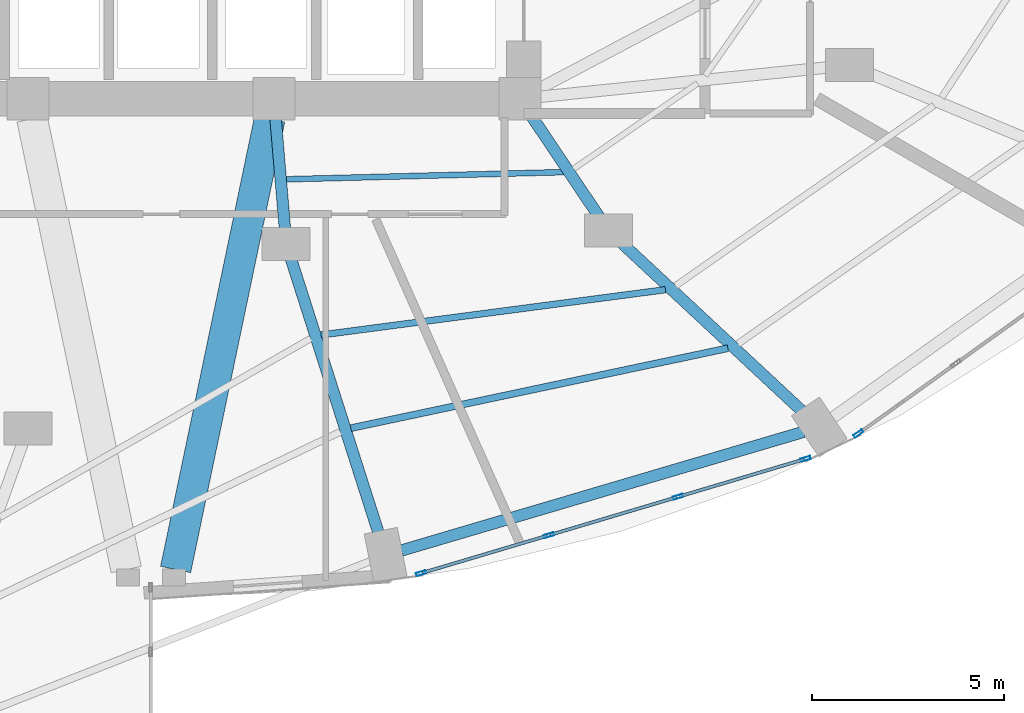
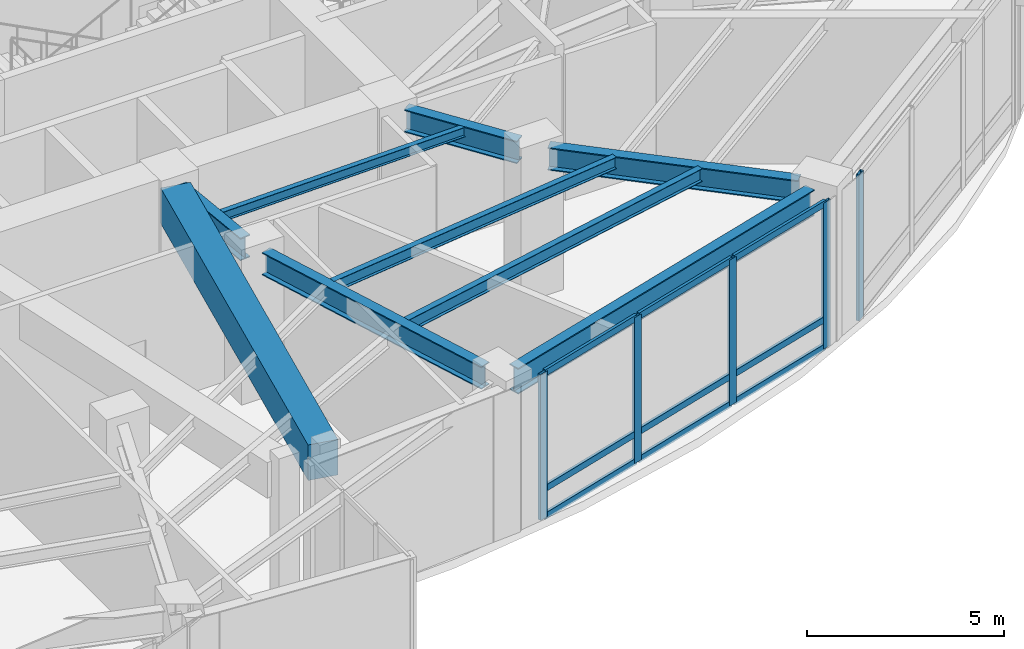
# One storey, part 10 of 24: 14 members, 9 beams, 2 elements without a shape of their own.
"""IFC4 building model written with IfcOpenShell, lengths in metres."""

from ifc_helpers import new_model, si_unit, direction, frame, origin, origin_2d, place, context, subcontext, project, spatial, rectangle, hollow_rectangle, i_section, extrude, material, layer, layer_set, material_profile, profile_set, type_object, element, aggregate, save


model = new_model("IFC4")

# Units and contexts
model_context = context("Model", 3, precision=1e-05, world=origin(), true_north=direction((0.0, 1.0)))
body_context = subcontext(model_context, "Body", "Model", "MODEL_VIEW")
ifc_project = project(units=[si_unit("LENGTHUNIT", "METRE"), si_unit("AREAUNIT", "SQUARE_METRE"), si_unit("VOLUMEUNIT", "CUBIC_METRE"), si_unit("PLANEANGLEUNIT", "RADIAN"), si_unit("MASSUNIT", "GRAM", prefix="KILO")], contexts=[model_context])

# Site, building, storey
site_placement = place(None, origin())
site = spatial("IfcSite", under=ifc_project, at=site_placement, CompositionType="ELEMENT")
building_placement = place(site_placement, origin())
building = spatial("IfcBuilding", under=site, at=building_placement, Name="Lazwardi Medical Tower", CompositionType="ELEMENT")
storey_placement = place(building_placement, frame((0.0, 0.0, 10.800048828125)))
storey = spatial("IfcBuildingStorey", under=building, at=storey_placement, Name="L02", CompositionType="ELEMENT", Elevation=10.800048828125)

# Beams
ifc_material_1 = material(Name="Concrete C70/85", Category="concrete")
ifc_material_profile_1 = material_profile(ifc_material_1, rectangle(XDim=0.800048828125, YDim=1.10009765625, at=origin_2d()), Name="RC 800x1100")
ifc_profile_set_1 = profile_set([ifc_material_profile_1], Name="Concrete C70/85")
beam_type_1 = type_object("IfcBeamType", Name="BM-CB-RC1", PredefinedType="LINTEL", material=ifc_profile_set_1)
beam_1_placement = place(storey_placement, frame((39.090576171875, 19.876220703125, 3.969970703125), z_axis=(-0.204429747009, -0.978881238219, 0.0), x_axis=(0.978881238219, -0.204429747009, 0.0)))
element("IfcBeam", 1, at=beam_1_placement, inside=storey, type_object=beam_type_1, Name="Core coupling lintel CB-01 PL4 L02", PredefinedType="LINTEL", context=body_context, shape_type="SweptSolid", body=[
    extrude(rectangle(XDim=0.800048828125, YDim=1.10009765625, at=origin_2d()), origin(), (0.0, 0.0, 1.0), 11.9736328125),
])
ifc_material_2 = material(Name="Steel S355", Category="steel")
ifc_material_profile_2 = material_profile(ifc_material_2, i_section(OverallWidth=0.300048828125, OverallDepth=0.800048828125, WebThickness=0.017578125, FlangeThickness=0.032958984375, at=origin_2d()), Name="HEB 800")
ifc_profile_set_2 = profile_set([ifc_material_profile_2], Name="Steel S355")
beam_type_2 = type_object("IfcBeamType", Name="BM-RB-P1", PredefinedType="BEAM", material=ifc_profile_set_2)
beam_2_placement = place(storey_placement, frame((42.518798828125, 8.650146484375, 4.119873046875), z_axis=(0.959103395471, 0.283055960537, 0.0), x_axis=(-0.283055960537, 0.959103395471, 0.0)))
element("IfcBeam", 2, at=beam_2_placement, inside=storey, type_object=beam_type_2, Name="Ring beam RB-01 B01 L02", PredefinedType="BEAM", context=body_context, shape_type="SweptSolid", body=[
    extrude(i_section(OverallWidth=0.300048828125, OverallDepth=0.800048828125, WebThickness=0.017578125, FlangeThickness=0.032958984375, at=origin_2d()), origin(), (0.0, 0.0, 1.0), 10.904052734375),
])
ifc_material_profile_3 = material_profile(ifc_material_2, i_section(OverallWidth=0.300048828125, OverallDepth=0.699951171875, WebThickness=0.01708984375, FlangeThickness=0.031982421875, at=origin_2d()), Name="HEB 700")
ifc_profile_set_3 = profile_set([ifc_material_profile_3], Name="Steel S355")
beam_type_3 = type_object("IfcBeamType", Name="BM-RG-P1", PredefinedType="BEAM", material=ifc_profile_set_3)
beam_3_placement = place(storey_placement, frame((41.9296875, 9.0810546875, 4.169921875), z_axis=(-0.304290316493, 0.952579342254, 0.0), x_axis=(-0.952579342254, -0.304290316493, 0.0)))
element("IfcBeam", 3, at=beam_3_placement, inside=storey, type_object=beam_type_3, Name="Radial girder RG-01 R01A L02", PredefinedType="BEAM", context=body_context, shape_type="SweptSolid", body=[
    extrude(i_section(OverallWidth=0.300048828125, OverallDepth=0.699951171875, WebThickness=0.01708984375, FlangeThickness=0.031982421875, at=origin_2d()), origin(), (0.0, 0.0, 1.0), 7.51953125),
])
beam_4_placement = place(storey_placement, frame((39.486083984375, 17.023681640625, 4.169921875), z_axis=(-0.084447396155, 0.996427938831, 0.0), x_axis=(-0.996427938831, -0.084447396155, 0.0)))
element("IfcBeam", 4, at=beam_4_placement, inside=storey, type_object=beam_type_3, Name="Radial girder RG-01 R01B L02", PredefinedType="BEAM", context=body_context, shape_type="SweptSolid", body=[
    extrude(i_section(OverallWidth=0.300048828125, OverallDepth=0.699951171875, WebThickness=0.01708984375, FlangeThickness=0.031982421875, at=origin_2d()), origin(), (0.0, 0.0, 1.0), 2.853515625),
])
beam_5_placement = place(storey_placement, frame((52.965087890625, 12.253662109375, 4.169921875), z_axis=(-0.731658891276, 0.681670937342, 0.0), x_axis=(-0.681670937342, -0.731658891276, 0.0)))
element("IfcBeam", 5, at=beam_5_placement, inside=storey, type_object=beam_type_3, Name="Radial girder RG-01 R02A L02", PredefinedType="BEAM", context=body_context, shape_type="SweptSolid", body=[
    extrude(i_section(OverallWidth=0.300048828125, OverallDepth=0.699951171875, WebThickness=0.01708984375, FlangeThickness=0.031982421875, at=origin_2d()), origin(), (0.0, 0.0, 1.0), 6.52001953125),
])
beam_6_placement = place(storey_placement, frame((47.678955078125, 17.302978515625, 4.169921875), z_axis=(-0.557342392299, 0.830282757708, 0.0), x_axis=(-0.830282757708, -0.557342392299, 0.0)))
element("IfcBeam", 6, at=beam_6_placement, inside=storey, type_object=beam_type_3, Name="Radial girder RG-01 R02B L02", PredefinedType="BEAM", context=body_context, shape_type="SweptSolid", body=[
    extrude(i_section(OverallWidth=0.300048828125, OverallDepth=0.699951171875, WebThickness=0.01708984375, FlangeThickness=0.031982421875, at=origin_2d()), origin(), (0.0, 0.0, 1.0), 3.195068359375),
])
ifc_material_profile_4 = material_profile(ifc_material_2, i_section(OverallWidth=0.179931640625, OverallDepth=0.39990234375, WebThickness=0.008544921875, FlangeThickness=0.013427734375, at=origin_2d()), Name="IPE 400")
ifc_profile_set_4 = profile_set([ifc_material_profile_4], Name="Steel S355")
beam_type_4 = type_object("IfcBeamType", Name="BM-SJ-01", PredefinedType="JOIST", material=ifc_profile_set_4)
beam_7_placement = place(storey_placement, frame((41.2021484375, 11.8330078125, 4.320068359375), z_axis=(0.9782537418, 0.207411708093, 0.0), x_axis=(-0.207411708093, 0.9782537418, 0.0)))
element("IfcBeam", 7, at=beam_7_placement, inside=storey, type_object=beam_type_4, Name="Secondary joist SJ-01 RO1 B01 L02", PredefinedType="JOIST", context=body_context, shape_type="SweptSolid", body=[
    extrude(i_section(OverallWidth=0.179931640625, OverallDepth=0.39990234375, WebThickness=0.008544921875, FlangeThickness=0.013427734375, at=origin_2d()), origin(), (0.0, 0.0, 1.0), 10.0263671875),
])
ifc_material_profile_5 = material_profile(ifc_material_2, i_section(OverallWidth=0.169921875, OverallDepth=0.360107421875, WebThickness=0.008056640625, FlangeThickness=0.0126953125, at=origin_2d()), Name="IPE 360")
ifc_profile_set_5 = profile_set([ifc_material_profile_5], Name="Steel S355")
beam_type_5 = type_object("IfcBeamType", Name="BM-SJ-02", PredefinedType="JOIST", material=ifc_profile_set_5)
beam_8_placement = place(storey_placement, frame((40.426025390625, 14.25732421875, 4.33984375), z_axis=(0.991476440032, 0.130286103868, 0.0), x_axis=(-0.130286103868, 0.991476440032, 0.0)))
element("IfcBeam", 8, at=beam_8_placement, inside=storey, type_object=beam_type_5, Name="Secondary joist SJ-02 RO2 B01 L02", PredefinedType="JOIST", context=body_context, shape_type="SweptSolid", body=[
    extrude(i_section(OverallWidth=0.169921875, OverallDepth=0.360107421875, WebThickness=0.008056640625, FlangeThickness=0.0126953125, at=origin_2d()), origin(), (0.0, 0.0, 1.0), 9.037841796875),
])
ifc_material_profile_6 = material_profile(ifc_material_2, i_section(OverallWidth=0.14990234375, OverallDepth=0.300048828125, WebThickness=0.007080078125, FlangeThickness=0.0107421875, at=origin_2d()), Name="IPE 300")
ifc_profile_set_6 = profile_set([ifc_material_profile_6], Name="Steel S355")
beam_type_6 = type_object("IfcBeamType", Name="BM-SJ-03", PredefinedType="JOIST", material=ifc_profile_set_6)
beam_9_placement = place(storey_placement, frame((39.522705078125, 18.306884765625, 4.369873046875), z_axis=(0.999666407712, 0.025827762058, 0.0), x_axis=(-0.025827762058, 0.999666407712, 0.0)))
element("IfcBeam", 9, at=beam_9_placement, inside=storey, type_object=beam_type_6, Name="Secondary joist SJ-03 RI1 B01 L02", PredefinedType="JOIST", context=body_context, shape_type="SweptSolid", body=[
    extrude(i_section(OverallWidth=0.14990234375, OverallDepth=0.300048828125, WebThickness=0.007080078125, FlangeThickness=0.0107421875, at=origin_2d()), origin(), (0.0, 0.0, 1.0), 7.21240234375),
])

# Curtain wall, members
ifc_material_3 = material(Name="Anodised bronze aluminium and solar control glazing", Category="aluminium")
ifc_layer = layer(ifc_material_3, 0.219970703125)
ifc_layer_set = layer_set([ifc_layer], Name="Anodised bronze aluminium and solar control glazing")
curtain_wall_type = type_object("IfcCurtainWallType", Name="CW-SYS-01", PredefinedType="NOTDEFINED", material=ifc_layer_set)
curtain_wall_1_placement = place(storey_placement, origin())
curtain_wall_1 = element("IfcCurtainWall", 10, at=curtain_wall_1_placement, inside=storey, type_object=curtain_wall_type, Name="L02 Unitised bronze curtain wall CW-01", PredefinedType="NOTDEFINED")
ifc_material_4 = material(Name="Anodised bronze aluminium", Category="aluminium")
ifc_material_profile_7 = material_profile(ifc_material_4, hollow_rectangle(XDim=0.0849609375, YDim=0.260009765625, WallThickness=0.0048828125, at=origin_2d()), Name="ALU-MULLION 260x85x5")
ifc_profile_set_7 = profile_set([ifc_material_profile_7], Name="Anodised bronze aluminium")
member_type_1 = type_object("IfcMemberType", Name="CW-MUL-02", PredefinedType="MULLION", material=ifc_profile_set_7)
member_1_placement = place(storey_placement, frame((43.02880859375, 8.05810546875, 0.0), z_axis=(0.0, 0.0, 1.0), x_axis=(-0.285047195531, 0.958513482597, 0.0)))
member_1 = element("IfcMember", 11, at=member_1_placement, type_object=member_type_1, Name="CW-01 mullion 1", PredefinedType="MULLION", context=body_context, shape_type="SweptSolid", body=[
    extrude(hollow_rectangle(XDim=0.0849609375, YDim=0.260009765625, WallThickness=0.0048828125, at=origin_2d()), origin(), (0.0, 0.0, 1.0), 4.52001953125),
])
member_2_placement = place(storey_placement, frame((46.350341796875, 9.0458984375, 0.0), z_axis=(0.0, 0.0, 1.0), x_axis=(-0.285047195531, 0.958513482597, 0.0)))
member_2 = element("IfcMember", 12, at=member_2_placement, type_object=member_type_1, Name="CW-01 mullion 2", PredefinedType="MULLION", context=body_context, shape_type="SweptSolid", body=[
    extrude(hollow_rectangle(XDim=0.0849609375, YDim=0.260009765625, WallThickness=0.0048828125, at=origin_2d()), origin(), (0.0, 0.0, 1.0), 4.52001953125),
])
member_3_placement = place(storey_placement, frame((49.71240234375, 10.0458984375, 0.0), z_axis=(0.0, 0.0, 1.0), x_axis=(-0.285047195531, 0.958513482597, 0.0)))
member_3 = element("IfcMember", 13, at=member_3_placement, type_object=member_type_1, Name="CW-01 mullion 3", PredefinedType="MULLION", context=body_context, shape_type="SweptSolid", body=[
    extrude(hollow_rectangle(XDim=0.0849609375, YDim=0.260009765625, WallThickness=0.0048828125, at=origin_2d()), origin(), (0.0, 0.0, 1.0), 4.52001953125),
])
member_4_placement = place(storey_placement, frame((53.033935546875, 11.03369140625, 0.0), z_axis=(0.0, 0.0, 1.0), x_axis=(-0.285047195531, 0.958513482597, 0.0)))
member_4 = element("IfcMember", 14, at=member_4_placement, type_object=member_type_1, Name="CW-01 mullion 4", PredefinedType="MULLION", context=body_context, shape_type="SweptSolid", body=[
    extrude(hollow_rectangle(XDim=0.0849609375, YDim=0.260009765625, WallThickness=0.0048828125, at=origin_2d()), origin(), (0.0, 0.0, 1.0), 4.52001953125),
])

# Curtain wall, member
curtain_wall_2_placement = place(storey_placement, origin())
curtain_wall_2 = element("IfcCurtainWall", 15, at=curtain_wall_2_placement, inside=storey, type_object=curtain_wall_type, Name="L02 Unitised bronze curtain wall CW-01", PredefinedType="NOTDEFINED")
member_5_placement = place(storey_placement, frame((54.40576171875, 11.6923828125, 0.0), z_axis=(0.0, 0.0, 1.0), x_axis=(-0.583214260584, 0.812318365083, 0.0)))
member_5 = element("IfcMember", 16, at=member_5_placement, type_object=member_type_1, Name="CW-01 mullion 1", PredefinedType="MULLION", context=body_context, shape_type="SweptSolid", body=[
    extrude(hollow_rectangle(XDim=0.0849609375, YDim=0.260009765625, WallThickness=0.0048828125, at=origin_2d()), origin(), (0.0, 0.0, 1.0), 4.52001953125),
])
aggregate(curtain_wall_2, [member_5])

# Member
ifc_material_profile_8 = material_profile(ifc_material_4, hollow_rectangle(XDim=0.0849609375, YDim=0.199951171875, WallThickness=0.00439453125, at=origin_2d()), Name="ALU-TRANSOM 200x85x4.5")
ifc_profile_set_8 = profile_set([ifc_material_profile_8], Name="Anodised bronze aluminium")
member_type_2 = type_object("IfcMemberType", Name="CW-TRN-02", PredefinedType="USERDEFINED", material=ifc_profile_set_8)
member_6_placement = place(storey_placement, frame((43.069580078125, 8.0703125, 0.04248046875), z_axis=(0.958505424522, 0.285074290603, 0.0), x_axis=(-0.285074290603, 0.958505424522, 0.0)))
member_6 = element("IfcMember", 17, at=member_6_placement, type_object=member_type_2, Name="CW-01 transom 1.1", ObjectType="TRANSOM", PredefinedType="USERDEFINED", context=body_context, shape_type="SweptSolid", body=[
    extrude(hollow_rectangle(XDim=0.0849609375, YDim=0.199951171875, WallThickness=0.00439453125, at=origin_2d()), origin(), (0.0, 0.0, 1.0), 3.38037109375),
])

member_7_placement = place(storey_placement, frame((43.069580078125, 8.0703125, 0.89990234375), z_axis=(0.958505424522, 0.285074290603, 0.0), x_axis=(-0.285074290603, 0.958505424522, 0.0)))
member_7 = element("IfcMember", 18, at=member_7_placement, type_object=member_type_2, Name="CW-01 transom 1.2", ObjectType="TRANSOM", PredefinedType="USERDEFINED", context=body_context, shape_type="SweptSolid", body=[
    extrude(hollow_rectangle(XDim=0.0849609375, YDim=0.199951171875, WallThickness=0.00439453125, at=origin_2d()), origin(), (0.0, 0.0, 1.0), 3.38037109375),
])

member_8_placement = place(storey_placement, frame((43.069580078125, 8.0703125, 4.4775390625), z_axis=(0.958505424522, 0.285074290603, 0.0), x_axis=(-0.285074290603, 0.958505424522, 0.0)))
member_8 = element("IfcMember", 19, at=member_8_placement, type_object=member_type_2, Name="CW-01 transom 1.3", ObjectType="TRANSOM", PredefinedType="USERDEFINED", context=body_context, shape_type="SweptSolid", body=[
    extrude(hollow_rectangle(XDim=0.0849609375, YDim=0.199951171875, WallThickness=0.00439453125, at=origin_2d()), origin(), (0.0, 0.0, 1.0), 3.38037109375),
])

member_9_placement = place(storey_placement, frame((46.39111328125, 9.05810546875, 0.04248046875), z_axis=(0.958518450342, 0.285030490219, 0.0), x_axis=(-0.285030490219, 0.958518450342, 0.0)))
member_9 = element("IfcMember", 20, at=member_9_placement, type_object=member_type_2, Name="CW-01 transom 2.1", ObjectType="TRANSOM", PredefinedType="USERDEFINED", context=body_context, shape_type="SweptSolid", body=[
    extrude(hollow_rectangle(XDim=0.0849609375, YDim=0.199951171875, WallThickness=0.00439453125, at=origin_2d()), origin(), (0.0, 0.0, 1.0), 3.4228515625),
])

member_10_placement = place(storey_placement, frame((46.39111328125, 9.05810546875, 0.89990234375), z_axis=(0.958518450342, 0.285030490219, 0.0), x_axis=(-0.285030490219, 0.958518450342, 0.0)))
member_10 = element("IfcMember", 21, at=member_10_placement, type_object=member_type_2, Name="CW-01 transom 2.2", ObjectType="TRANSOM", PredefinedType="USERDEFINED", context=body_context, shape_type="SweptSolid", body=[
    extrude(hollow_rectangle(XDim=0.0849609375, YDim=0.199951171875, WallThickness=0.00439453125, at=origin_2d()), origin(), (0.0, 0.0, 1.0), 3.4228515625),
])

member_11_placement = place(storey_placement, frame((46.39111328125, 9.05810546875, 4.4775390625), z_axis=(0.958518450342, 0.285030490219, 0.0), x_axis=(-0.285030490219, 0.958518450342, 0.0)))
member_11 = element("IfcMember", 22, at=member_11_placement, type_object=member_type_2, Name="CW-01 transom 2.3", ObjectType="TRANSOM", PredefinedType="USERDEFINED", context=body_context, shape_type="SweptSolid", body=[
    extrude(hollow_rectangle(XDim=0.0849609375, YDim=0.199951171875, WallThickness=0.00439453125, at=origin_2d()), origin(), (0.0, 0.0, 1.0), 3.4228515625),
])

member_12_placement = place(storey_placement, frame((49.753173828125, 10.057861328125, 0.04248046875), z_axis=(0.958505424522, 0.285074290603, 0.0), x_axis=(-0.285074290603, 0.958505424522, 0.0)))
member_12 = element("IfcMember", 23, at=member_12_placement, type_object=member_type_2, Name="CW-01 transom 3.1", ObjectType="TRANSOM", PredefinedType="USERDEFINED", context=body_context, shape_type="SweptSolid", body=[
    extrude(hollow_rectangle(XDim=0.0849609375, YDim=0.199951171875, WallThickness=0.00439453125, at=origin_2d()), origin(), (0.0, 0.0, 1.0), 3.38037109375),
])

member_13_placement = place(storey_placement, frame((49.753173828125, 10.057861328125, 0.89990234375), z_axis=(0.958505424522, 0.285074290603, 0.0), x_axis=(-0.285074290603, 0.958505424522, 0.0)))
member_13 = element("IfcMember", 24, at=member_13_placement, type_object=member_type_2, Name="CW-01 transom 3.2", ObjectType="TRANSOM", PredefinedType="USERDEFINED", context=body_context, shape_type="SweptSolid", body=[
    extrude(hollow_rectangle(XDim=0.0849609375, YDim=0.199951171875, WallThickness=0.00439453125, at=origin_2d()), origin(), (0.0, 0.0, 1.0), 3.38037109375),
])

member_14_placement = place(storey_placement, frame((49.753173828125, 10.057861328125, 4.4775390625), z_axis=(0.958505424522, 0.285074290603, 0.0), x_axis=(-0.285074290603, 0.958505424522, 0.0)))
member_14 = element("IfcMember", 25, at=member_14_placement, type_object=member_type_2, Name="CW-01 transom 3.3", ObjectType="TRANSOM", PredefinedType="USERDEFINED", context=body_context, shape_type="SweptSolid", body=[
    extrude(hollow_rectangle(XDim=0.0849609375, YDim=0.199951171875, WallThickness=0.00439453125, at=origin_2d()), origin(), (0.0, 0.0, 1.0), 3.38037109375),
])

aggregate(curtain_wall_1, [member_1, member_2, member_3, member_4, member_6, member_7, member_8, member_9, member_10, member_11, member_12, member_13, member_14])

save(model, "model.ifc")
